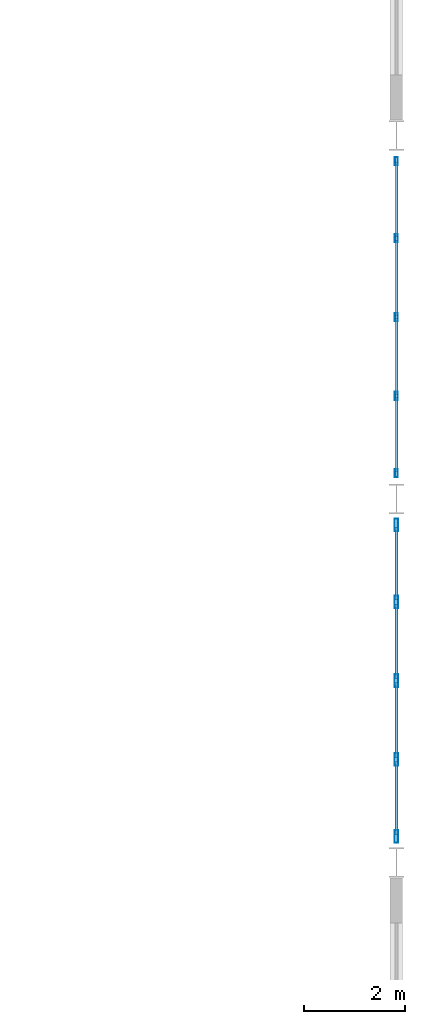
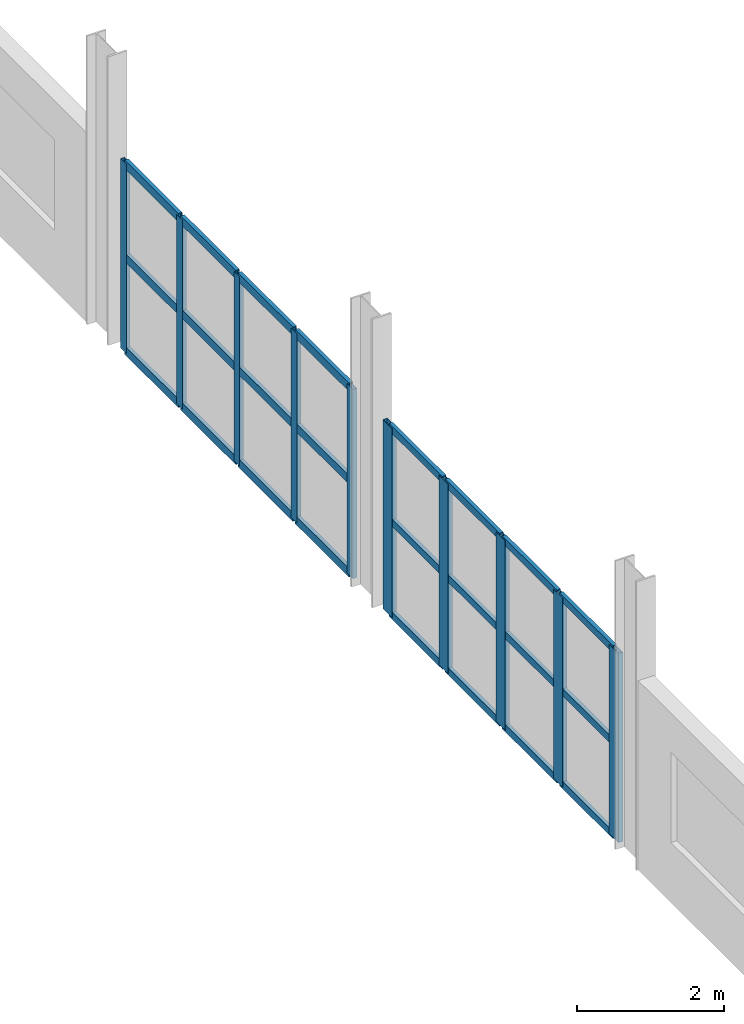
# One storey, part 25 of 41: 34 members, 2 elements without a shape of their own.
"""IFC4 building model written with IfcOpenShell, lengths in metres."""

from ifc_helpers import new_model, si_unit, direction, frame, origin, origin_2d, place, context, subcontext, project, spatial, hollow_rectangle, extrude, material, layer, layer_set, material_profile, profile_set, type_object, element, aggregate, save


model = new_model("IFC4")

# Units and contexts
model_context = context("Model", 3, precision=1e-05, world=origin(), true_north=direction((0.0, 1.0)))
body_context = subcontext(model_context, "Body", "Model", "MODEL_VIEW")
ifc_project = project(units=[si_unit("LENGTHUNIT", "METRE"), si_unit("AREAUNIT", "SQUARE_METRE"), si_unit("VOLUMEUNIT", "CUBIC_METRE"), si_unit("PLANEANGLEUNIT", "RADIAN"), si_unit("MASSUNIT", "GRAM", prefix="KILO")], contexts=[model_context])

# Site, building, storey
site_placement = place(None, origin())
site = spatial("IfcSite", under=ifc_project, at=site_placement, CompositionType="ELEMENT")
building_placement = place(site_placement, origin())
building = spatial("IfcBuilding", under=site, at=building_placement, Name="Solvadek Multi-Sports Hall", CompositionType="ELEMENT")
storey_placement = place(building_placement, frame((0.0, 0.0, 14.39990234375)))
storey = spatial("IfcBuildingStorey", under=building, at=storey_placement, Name="L03", CompositionType="ELEMENT", Elevation=14.39990234375)

# Curtain wall, members
ifc_material = material(Name="Anodised aluminium", Category="aluminium")
ifc_layer = layer(ifc_material, 0.159912109375, Name="Anodised aluminium")
ifc_layer_set = layer_set([ifc_layer], Name="Anodised aluminium")
curtain_wall_type = type_object("IfcCurtainWallType", Name="ENV-CW-624X315", PredefinedType="USERDEFINED", material=ifc_layer_set)
curtain_wall_1_placement = place(storey_placement, origin())
curtain_wall_1 = element("IfcCurtainWall", 1, at=curtain_wall_1_placement, inside=storey, type_object=curtain_wall_type, Name="L03 Perimeter Bay Curtain Wall #151", ObjectType="CURTAIN WALL", PredefinedType="USERDEFINED")
ifc_material_profile_1 = material_profile(ifc_material, hollow_rectangle(XDim=0.06005859375, YDim=0.159912109375, WallThickness=0.00390625, at=origin_2d()), Name="ALU-M 160x60x4")
ifc_profile_set_1 = profile_set([ifc_material_profile_1], Name="Anodised aluminium")
member_type_1 = type_object("IfcMemberType", Name="ENV-CWM-01", PredefinedType="MULLION", material=ifc_profile_set_1)
member_1_placement = place(storey_placement, frame((161.39990234375, 56.909912109375, 0.0), z_axis=(0.0, 0.0, 1.0), x_axis=(-1.0, 0.0, 0.0)))
member_1 = element("IfcMember", 2, at=member_1_placement, type_object=member_type_1, Name="CW-44 mullion 1", PredefinedType="MULLION", context=body_context, shape_type="SweptSolid", body=[
    extrude(hollow_rectangle(XDim=0.06005859375, YDim=0.159912109375, WallThickness=0.00390625, at=origin_2d()), origin(), (0.0, 0.0, 1.0), 3.150146484375),
])
member_2_placement = place(storey_placement, frame((161.39990234375, 58.43994140625, 0.0), z_axis=(0.0, 0.0, 1.0), x_axis=(-1.0, 0.0, 0.0)))
member_2 = element("IfcMember", 3, at=member_2_placement, type_object=member_type_1, Name="CW-44 mullion 2", PredefinedType="MULLION", context=body_context, shape_type="SweptSolid", body=[
    extrude(hollow_rectangle(XDim=0.06005859375, YDim=0.159912109375, WallThickness=0.00390625, at=origin_2d()), origin(), (0.0, 0.0, 1.0), 3.150146484375),
])
member_3_placement = place(storey_placement, frame((161.39990234375, 60.0, 0.0), z_axis=(0.0, 0.0, 1.0), x_axis=(-1.0, 0.0, 0.0)))
member_3 = element("IfcMember", 4, at=member_3_placement, type_object=member_type_1, Name="CW-44 mullion 3", PredefinedType="MULLION", context=body_context, shape_type="SweptSolid", body=[
    extrude(hollow_rectangle(XDim=0.06005859375, YDim=0.159912109375, WallThickness=0.00390625, at=origin_2d()), origin(), (0.0, 0.0, 1.0), 3.150146484375),
])
member_4_placement = place(storey_placement, frame((161.39990234375, 61.56005859375, 0.0), z_axis=(0.0, 0.0, 1.0), x_axis=(-1.0, 0.0, 0.0)))
member_4 = element("IfcMember", 5, at=member_4_placement, type_object=member_type_1, Name="CW-44 mullion 4", PredefinedType="MULLION", context=body_context, shape_type="SweptSolid", body=[
    extrude(hollow_rectangle(XDim=0.06005859375, YDim=0.159912109375, WallThickness=0.00390625, at=origin_2d()), origin(), (0.0, 0.0, 1.0), 3.150146484375),
])
member_5_placement = place(storey_placement, frame((161.39990234375, 63.090087890625, 0.0), z_axis=(0.0, 0.0, 1.0), x_axis=(-1.0, 0.0, 0.0)))
member_5 = element("IfcMember", 6, at=member_5_placement, type_object=member_type_1, Name="CW-44 mullion 5", PredefinedType="MULLION", context=body_context, shape_type="SweptSolid", body=[
    extrude(hollow_rectangle(XDim=0.06005859375, YDim=0.159912109375, WallThickness=0.00390625, at=origin_2d()), origin(), (0.0, 0.0, 1.0), 3.150146484375),
])

curtain_wall_2_placement = place(storey_placement, origin())
curtain_wall_2 = element("IfcCurtainWall", 7, at=curtain_wall_2_placement, inside=storey, type_object=curtain_wall_type, Name="L03 Perimeter Bay Curtain Wall #147", ObjectType="CURTAIN WALL", PredefinedType="USERDEFINED")
ifc_material_profile_2 = material_profile(ifc_material, hollow_rectangle(XDim=0.070068359375, YDim=0.25, WallThickness=0.0048828125, at=origin_2d()), Name="ALU-M 250x70x5")
ifc_profile_set_2 = profile_set([ifc_material_profile_2], Name="Anodised aluminium")
member_type_2 = type_object("IfcMemberType", Name="ENV-CWM-05", PredefinedType="MULLION", material=ifc_profile_set_2)
member_6_placement = place(storey_placement, frame((161.39990234375, 49.715087890625, 0.0), z_axis=(0.0, 0.0, 1.0), x_axis=(-1.0, 0.0, 0.0)))
member_6 = element("IfcMember", 8, at=member_6_placement, type_object=member_type_2, Name="CW-44 mullion 1", PredefinedType="MULLION", context=body_context, shape_type="SweptSolid", body=[
    extrude(hollow_rectangle(XDim=0.070068359375, YDim=0.25, WallThickness=0.0048828125, at=origin_2d()), origin(), (0.0, 0.0, 1.0), 3.150146484375),
])
member_7_placement = place(storey_placement, frame((161.39990234375, 51.239990234375, 0.0), z_axis=(0.0, 0.0, 1.0), x_axis=(-1.0, 0.0, 0.0)))
member_7 = element("IfcMember", 9, at=member_7_placement, type_object=member_type_2, Name="CW-44 mullion 2", PredefinedType="MULLION", context=body_context, shape_type="SweptSolid", body=[
    extrude(hollow_rectangle(XDim=0.070068359375, YDim=0.25, WallThickness=0.0048828125, at=origin_2d()), origin(), (0.0, 0.0, 1.0), 3.150146484375),
])
member_8_placement = place(storey_placement, frame((161.39990234375, 52.800048828125, 0.0), z_axis=(0.0, 0.0, 1.0), x_axis=(-1.0, 0.0, 0.0)))
member_8 = element("IfcMember", 10, at=member_8_placement, type_object=member_type_2, Name="CW-44 mullion 3", PredefinedType="MULLION", context=body_context, shape_type="SweptSolid", body=[
    extrude(hollow_rectangle(XDim=0.070068359375, YDim=0.25, WallThickness=0.0048828125, at=origin_2d()), origin(), (0.0, 0.0, 1.0), 3.150146484375),
])
member_9_placement = place(storey_placement, frame((161.39990234375, 54.360107421875, 0.0), z_axis=(0.0, 0.0, 1.0), x_axis=(-1.0, 0.0, 0.0)))
member_9 = element("IfcMember", 11, at=member_9_placement, type_object=member_type_2, Name="CW-44 mullion 4", PredefinedType="MULLION", context=body_context, shape_type="SweptSolid", body=[
    extrude(hollow_rectangle(XDim=0.070068359375, YDim=0.25, WallThickness=0.0048828125, at=origin_2d()), origin(), (0.0, 0.0, 1.0), 3.150146484375),
])
member_10_placement = place(storey_placement, frame((161.39990234375, 55.885009765625, 0.0), z_axis=(0.0, 0.0, 1.0), x_axis=(-1.0, 0.0, 0.0)))
member_10 = element("IfcMember", 12, at=member_10_placement, type_object=member_type_2, Name="CW-44 mullion 5", PredefinedType="MULLION", context=body_context, shape_type="SweptSolid", body=[
    extrude(hollow_rectangle(XDim=0.070068359375, YDim=0.25, WallThickness=0.0048828125, at=origin_2d()), origin(), (0.0, 0.0, 1.0), 3.150146484375),
])
ifc_material_profile_3 = material_profile(ifc_material, hollow_rectangle(XDim=0.06005859375, YDim=0.1201171875, WallThickness=0.00390625, at=origin_2d()), Name="ALU-T 120x60x4")
ifc_profile_set_3 = profile_set([ifc_material_profile_3], Name="Anodised aluminium")
member_type_3 = type_object("IfcMemberType", Name="ENV-CWT-01", PredefinedType="USERDEFINED", material=ifc_profile_set_3)
member_11_placement = place(storey_placement, frame((161.39990234375, 49.75, 0.030029296875), z_axis=(0.0, 1.0, 0.0), x_axis=(-1.0, 0.0, 0.0)))
member_11 = element("IfcMember", 13, at=member_11_placement, type_object=member_type_3, Name="CW-44 transom 1.1", ObjectType="TRANSOM", PredefinedType="USERDEFINED", context=body_context, shape_type="SweptSolid", body=[
    extrude(hollow_rectangle(XDim=0.06005859375, YDim=0.1201171875, WallThickness=0.00390625, at=origin_2d()), origin(), (0.0, 0.0, 1.0), 1.455078125),
])
member_12_placement = place(storey_placement, frame((161.39990234375, 49.75, 1.5751953125), z_axis=(0.0, 1.0, 0.0), x_axis=(-1.0, 0.0, 0.0)))
member_12 = element("IfcMember", 14, at=member_12_placement, type_object=member_type_3, Name="CW-44 transom 1.2", ObjectType="TRANSOM", PredefinedType="USERDEFINED", context=body_context, shape_type="SweptSolid", body=[
    extrude(hollow_rectangle(XDim=0.06005859375, YDim=0.1201171875, WallThickness=0.00390625, at=origin_2d()), origin(), (0.0, 0.0, 1.0), 1.455078125),
])
member_13_placement = place(storey_placement, frame((161.39990234375, 49.75, 3.1201171875), z_axis=(0.0, 1.0, 0.0), x_axis=(-1.0, 0.0, 0.0)))
member_13 = element("IfcMember", 15, at=member_13_placement, type_object=member_type_3, Name="CW-44 transom 1.3", ObjectType="TRANSOM", PredefinedType="USERDEFINED", context=body_context, shape_type="SweptSolid", body=[
    extrude(hollow_rectangle(XDim=0.06005859375, YDim=0.1201171875, WallThickness=0.00390625, at=origin_2d()), origin(), (0.0, 0.0, 1.0), 1.455078125),
])
member_14_placement = place(storey_placement, frame((161.39990234375, 51.27490234375, 0.030029296875), z_axis=(0.0, 1.0, 0.0), x_axis=(-1.0, 0.0, 0.0)))
member_14 = element("IfcMember", 16, at=member_14_placement, type_object=member_type_3, Name="CW-44 transom 2.1", ObjectType="TRANSOM", PredefinedType="USERDEFINED", context=body_context, shape_type="SweptSolid", body=[
    extrude(hollow_rectangle(XDim=0.06005859375, YDim=0.1201171875, WallThickness=0.00390625, at=origin_2d()), origin(), (0.0, 0.0, 1.0), 1.489990234375),
])
member_15_placement = place(storey_placement, frame((161.39990234375, 51.27490234375, 1.5751953125), z_axis=(0.0, 1.0, 0.0), x_axis=(-1.0, 0.0, 0.0)))
member_15 = element("IfcMember", 17, at=member_15_placement, type_object=member_type_3, Name="CW-44 transom 2.2", ObjectType="TRANSOM", PredefinedType="USERDEFINED", context=body_context, shape_type="SweptSolid", body=[
    extrude(hollow_rectangle(XDim=0.06005859375, YDim=0.1201171875, WallThickness=0.00390625, at=origin_2d()), origin(), (0.0, 0.0, 1.0), 1.489990234375),
])
member_16_placement = place(storey_placement, frame((161.39990234375, 51.27490234375, 3.1201171875), z_axis=(0.0, 1.0, 0.0), x_axis=(-1.0, 0.0, 0.0)))
member_16 = element("IfcMember", 18, at=member_16_placement, type_object=member_type_3, Name="CW-44 transom 2.3", ObjectType="TRANSOM", PredefinedType="USERDEFINED", context=body_context, shape_type="SweptSolid", body=[
    extrude(hollow_rectangle(XDim=0.06005859375, YDim=0.1201171875, WallThickness=0.00390625, at=origin_2d()), origin(), (0.0, 0.0, 1.0), 1.489990234375),
])
member_17_placement = place(storey_placement, frame((161.39990234375, 52.8349609375, 0.030029296875), z_axis=(0.0, 1.0, 0.0), x_axis=(-1.0, 0.0, 0.0)))
member_17 = element("IfcMember", 19, at=member_17_placement, type_object=member_type_3, Name="CW-44 transom 3.1", ObjectType="TRANSOM", PredefinedType="USERDEFINED", context=body_context, shape_type="SweptSolid", body=[
    extrude(hollow_rectangle(XDim=0.06005859375, YDim=0.1201171875, WallThickness=0.00390625, at=origin_2d()), origin(), (0.0, 0.0, 1.0), 1.489990234375),
])
member_18_placement = place(storey_placement, frame((161.39990234375, 52.8349609375, 1.5751953125), z_axis=(0.0, 1.0, 0.0), x_axis=(-1.0, 0.0, 0.0)))
member_18 = element("IfcMember", 20, at=member_18_placement, type_object=member_type_3, Name="CW-44 transom 3.2", ObjectType="TRANSOM", PredefinedType="USERDEFINED", context=body_context, shape_type="SweptSolid", body=[
    extrude(hollow_rectangle(XDim=0.06005859375, YDim=0.1201171875, WallThickness=0.00390625, at=origin_2d()), origin(), (0.0, 0.0, 1.0), 1.489990234375),
])
member_19_placement = place(storey_placement, frame((161.39990234375, 52.8349609375, 3.1201171875), z_axis=(0.0, 1.0, 0.0), x_axis=(-1.0, 0.0, 0.0)))
member_19 = element("IfcMember", 21, at=member_19_placement, type_object=member_type_3, Name="CW-44 transom 3.3", ObjectType="TRANSOM", PredefinedType="USERDEFINED", context=body_context, shape_type="SweptSolid", body=[
    extrude(hollow_rectangle(XDim=0.06005859375, YDim=0.1201171875, WallThickness=0.00390625, at=origin_2d()), origin(), (0.0, 0.0, 1.0), 1.489990234375),
])
member_20_placement = place(storey_placement, frame((161.39990234375, 54.39501953125, 0.030029296875), z_axis=(0.0, 1.0, 0.0), x_axis=(-1.0, 0.0, 0.0)))
member_20 = element("IfcMember", 22, at=member_20_placement, type_object=member_type_3, Name="CW-44 transom 4.1", ObjectType="TRANSOM", PredefinedType="USERDEFINED", context=body_context, shape_type="SweptSolid", body=[
    extrude(hollow_rectangle(XDim=0.06005859375, YDim=0.1201171875, WallThickness=0.00390625, at=origin_2d()), origin(), (0.0, 0.0, 1.0), 1.455078125),
])
member_21_placement = place(storey_placement, frame((161.39990234375, 54.39501953125, 1.5751953125), z_axis=(0.0, 1.0, 0.0), x_axis=(-1.0, 0.0, 0.0)))
member_21 = element("IfcMember", 23, at=member_21_placement, type_object=member_type_3, Name="CW-44 transom 4.2", ObjectType="TRANSOM", PredefinedType="USERDEFINED", context=body_context, shape_type="SweptSolid", body=[
    extrude(hollow_rectangle(XDim=0.06005859375, YDim=0.1201171875, WallThickness=0.00390625, at=origin_2d()), origin(), (0.0, 0.0, 1.0), 1.455078125),
])
member_22_placement = place(storey_placement, frame((161.39990234375, 54.39501953125, 3.1201171875), z_axis=(0.0, 1.0, 0.0), x_axis=(-1.0, 0.0, 0.0)))
member_22 = element("IfcMember", 24, at=member_22_placement, type_object=member_type_3, Name="CW-44 transom 4.3", ObjectType="TRANSOM", PredefinedType="USERDEFINED", context=body_context, shape_type="SweptSolid", body=[
    extrude(hollow_rectangle(XDim=0.06005859375, YDim=0.1201171875, WallThickness=0.00390625, at=origin_2d()), origin(), (0.0, 0.0, 1.0), 1.455078125),
])
aggregate(curtain_wall_2, [member_6, member_7, member_8, member_9, member_10, member_11, member_12, member_13, member_14, member_15, member_16, member_17, member_18, member_19, member_20, member_21, member_22])

# Member
ifc_material_profile_4 = material_profile(ifc_material, hollow_rectangle(XDim=0.06005859375, YDim=0.139892578125, WallThickness=0.00390625, at=origin_2d()), Name="ALU-T 140x60x4")
ifc_profile_set_4 = profile_set([ifc_material_profile_4], Name="Anodised aluminium")
member_type_4 = type_object("IfcMemberType", Name="ENV-CWT-02", PredefinedType="USERDEFINED", material=ifc_profile_set_4)
member_23_placement = place(storey_placement, frame((161.39990234375, 56.93994140625, 0.030029296875), z_axis=(0.0, 1.0, 0.0), x_axis=(-1.0, 0.0, 0.0)))
member_23 = element("IfcMember", 25, at=member_23_placement, type_object=member_type_4, Name="CW-44 transom 1.1", ObjectType="TRANSOM", PredefinedType="USERDEFINED", context=body_context, shape_type="SweptSolid", body=[
    extrude(hollow_rectangle(XDim=0.06005859375, YDim=0.139892578125, WallThickness=0.00390625, at=origin_2d()), origin(), (0.0, 0.0, 1.0), 1.469970703125),
])

member_24_placement = place(storey_placement, frame((161.39990234375, 56.93994140625, 1.5751953125), z_axis=(0.0, 1.0, 0.0), x_axis=(-1.0, 0.0, 0.0)))
member_24 = element("IfcMember", 26, at=member_24_placement, type_object=member_type_4, Name="CW-44 transom 1.2", ObjectType="TRANSOM", PredefinedType="USERDEFINED", context=body_context, shape_type="SweptSolid", body=[
    extrude(hollow_rectangle(XDim=0.06005859375, YDim=0.139892578125, WallThickness=0.00390625, at=origin_2d()), origin(), (0.0, 0.0, 1.0), 1.469970703125),
])

member_25_placement = place(storey_placement, frame((161.39990234375, 56.93994140625, 3.1201171875), z_axis=(0.0, 1.0, 0.0), x_axis=(-1.0, 0.0, 0.0)))
member_25 = element("IfcMember", 27, at=member_25_placement, type_object=member_type_4, Name="CW-44 transom 1.3", ObjectType="TRANSOM", PredefinedType="USERDEFINED", context=body_context, shape_type="SweptSolid", body=[
    extrude(hollow_rectangle(XDim=0.06005859375, YDim=0.139892578125, WallThickness=0.00390625, at=origin_2d()), origin(), (0.0, 0.0, 1.0), 1.469970703125),
])

member_26_placement = place(storey_placement, frame((161.39990234375, 58.469970703125, 0.030029296875), z_axis=(0.0, 1.0, 0.0), x_axis=(-1.0, 0.0, 0.0)))
member_26 = element("IfcMember", 28, at=member_26_placement, type_object=member_type_4, Name="CW-44 transom 2.1", ObjectType="TRANSOM", PredefinedType="USERDEFINED", context=body_context, shape_type="SweptSolid", body=[
    extrude(hollow_rectangle(XDim=0.06005859375, YDim=0.139892578125, WallThickness=0.00390625, at=origin_2d()), origin(), (0.0, 0.0, 1.0), 1.5),
])

member_27_placement = place(storey_placement, frame((161.39990234375, 58.469970703125, 1.5751953125), z_axis=(0.0, 1.0, 0.0), x_axis=(-1.0, 0.0, 0.0)))
member_27 = element("IfcMember", 29, at=member_27_placement, type_object=member_type_4, Name="CW-44 transom 2.2", ObjectType="TRANSOM", PredefinedType="USERDEFINED", context=body_context, shape_type="SweptSolid", body=[
    extrude(hollow_rectangle(XDim=0.06005859375, YDim=0.139892578125, WallThickness=0.00390625, at=origin_2d()), origin(), (0.0, 0.0, 1.0), 1.5),
])

member_28_placement = place(storey_placement, frame((161.39990234375, 58.469970703125, 3.1201171875), z_axis=(0.0, 1.0, 0.0), x_axis=(-1.0, 0.0, 0.0)))
member_28 = element("IfcMember", 30, at=member_28_placement, type_object=member_type_4, Name="CW-44 transom 2.3", ObjectType="TRANSOM", PredefinedType="USERDEFINED", context=body_context, shape_type="SweptSolid", body=[
    extrude(hollow_rectangle(XDim=0.06005859375, YDim=0.139892578125, WallThickness=0.00390625, at=origin_2d()), origin(), (0.0, 0.0, 1.0), 1.5),
])

member_29_placement = place(storey_placement, frame((161.39990234375, 60.030029296875, 0.030029296875), z_axis=(0.0, 1.0, 0.0), x_axis=(-1.0, 0.0, 0.0)))
member_29 = element("IfcMember", 31, at=member_29_placement, type_object=member_type_4, Name="CW-44 transom 3.1", ObjectType="TRANSOM", PredefinedType="USERDEFINED", context=body_context, shape_type="SweptSolid", body=[
    extrude(hollow_rectangle(XDim=0.06005859375, YDim=0.139892578125, WallThickness=0.00390625, at=origin_2d()), origin(), (0.0, 0.0, 1.0), 1.5),
])

member_30_placement = place(storey_placement, frame((161.39990234375, 60.030029296875, 1.5751953125), z_axis=(0.0, 1.0, 0.0), x_axis=(-1.0, 0.0, 0.0)))
member_30 = element("IfcMember", 32, at=member_30_placement, type_object=member_type_4, Name="CW-44 transom 3.2", ObjectType="TRANSOM", PredefinedType="USERDEFINED", context=body_context, shape_type="SweptSolid", body=[
    extrude(hollow_rectangle(XDim=0.06005859375, YDim=0.139892578125, WallThickness=0.00390625, at=origin_2d()), origin(), (0.0, 0.0, 1.0), 1.5),
])

member_31_placement = place(storey_placement, frame((161.39990234375, 60.030029296875, 3.1201171875), z_axis=(0.0, 1.0, 0.0), x_axis=(-1.0, 0.0, 0.0)))
member_31 = element("IfcMember", 33, at=member_31_placement, type_object=member_type_4, Name="CW-44 transom 3.3", ObjectType="TRANSOM", PredefinedType="USERDEFINED", context=body_context, shape_type="SweptSolid", body=[
    extrude(hollow_rectangle(XDim=0.06005859375, YDim=0.139892578125, WallThickness=0.00390625, at=origin_2d()), origin(), (0.0, 0.0, 1.0), 1.5),
])

member_32_placement = place(storey_placement, frame((161.39990234375, 61.590087890625, 0.030029296875), z_axis=(0.0, 1.0, 0.0), x_axis=(-1.0, 0.0, 0.0)))
member_32 = element("IfcMember", 34, at=member_32_placement, type_object=member_type_4, Name="CW-44 transom 4.1", ObjectType="TRANSOM", PredefinedType="USERDEFINED", context=body_context, shape_type="SweptSolid", body=[
    extrude(hollow_rectangle(XDim=0.06005859375, YDim=0.139892578125, WallThickness=0.00390625, at=origin_2d()), origin(), (0.0, 0.0, 1.0), 1.469970703125),
])

member_33_placement = place(storey_placement, frame((161.39990234375, 61.590087890625, 1.5751953125), z_axis=(0.0, 1.0, 0.0), x_axis=(-1.0, 0.0, 0.0)))
member_33 = element("IfcMember", 35, at=member_33_placement, type_object=member_type_4, Name="CW-44 transom 4.2", ObjectType="TRANSOM", PredefinedType="USERDEFINED", context=body_context, shape_type="SweptSolid", body=[
    extrude(hollow_rectangle(XDim=0.06005859375, YDim=0.139892578125, WallThickness=0.00390625, at=origin_2d()), origin(), (0.0, 0.0, 1.0), 1.469970703125),
])

member_34_placement = place(storey_placement, frame((161.39990234375, 61.590087890625, 3.1201171875), z_axis=(0.0, 1.0, 0.0), x_axis=(-1.0, 0.0, 0.0)))
member_34 = element("IfcMember", 36, at=member_34_placement, type_object=member_type_4, Name="CW-44 transom 4.3", ObjectType="TRANSOM", PredefinedType="USERDEFINED", context=body_context, shape_type="SweptSolid", body=[
    extrude(hollow_rectangle(XDim=0.06005859375, YDim=0.139892578125, WallThickness=0.00390625, at=origin_2d()), origin(), (0.0, 0.0, 1.0), 1.469970703125),
])

aggregate(curtain_wall_1, [member_1, member_2, member_3, member_4, member_5, member_23, member_24, member_25, member_26, member_27, member_28, member_29, member_30, member_31, member_32, member_33, member_34])

save(model, "model.ifc")
